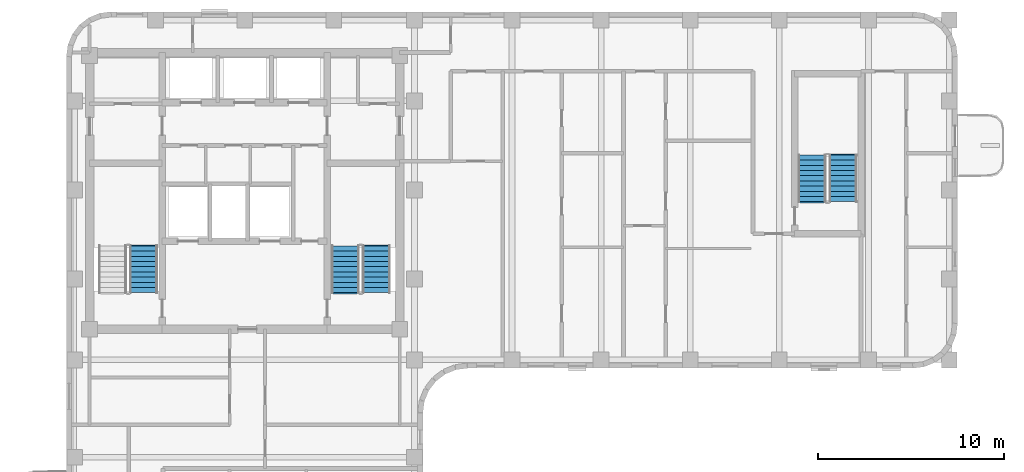
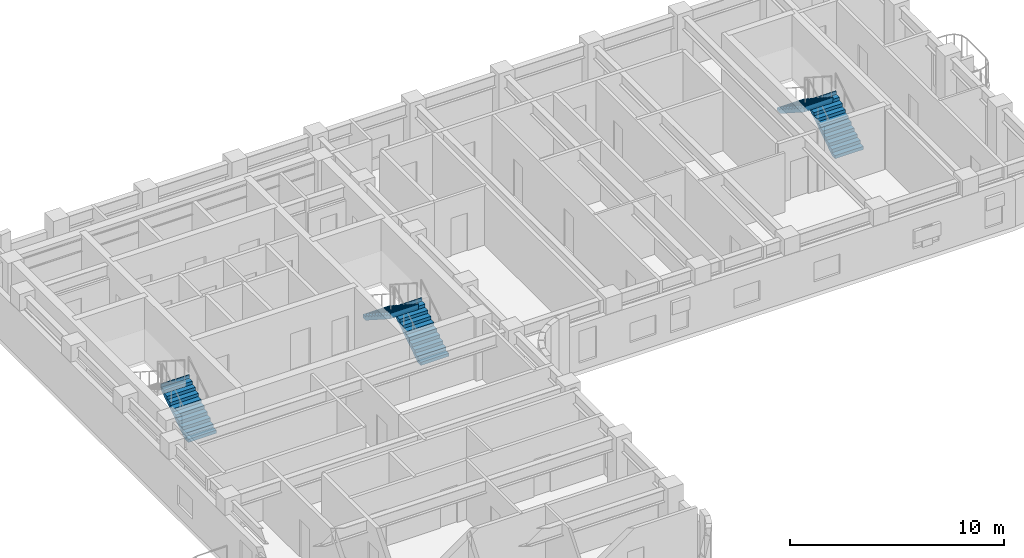
# One storey, part 7 of 10: 5 stair flights, 3 elements without a shape of their own.
"""IFC4 building model written with IfcOpenShell, lengths in metres."""

from ifc_helpers import new_model, si_unit, direction, frame, origin, place, context, subcontext, project, spatial, polyline, outline, extrude, material, type_object, element, aggregate, save


model = new_model("IFC4")

# Units and contexts
model_context = context("Model", 3, precision=1e-05, world=origin(), true_north=direction((0.0, 1.0)))
body_context = subcontext(model_context, "Body", "Model", "MODEL_VIEW")
ifc_project = project(units=[si_unit("LENGTHUNIT", "METRE"), si_unit("AREAUNIT", "SQUARE_METRE"), si_unit("VOLUMEUNIT", "CUBIC_METRE"), si_unit("PLANEANGLEUNIT", "RADIAN"), si_unit("MASSUNIT", "GRAM", prefix="KILO")], contexts=[model_context])

# Site, building, storey
site_placement = place(None, origin())
site = spatial("IfcSite", under=ifc_project, at=site_placement, CompositionType="ELEMENT")
building_placement = place(site_placement, origin())
building = spatial("IfcBuilding", under=site, at=building_placement, Name="Orvandelia Arch Residences", CompositionType="ELEMENT")
storey_placement = place(building_placement, frame((0.0, 0.0, 207.39990234375)))
storey = spatial("IfcBuildingStorey", under=building, at=storey_placement, Name="L54", CompositionType="ELEMENT", Elevation=207.39990234375)

# Stair, stair flight
ifc_material = material(Name="Concrete C40/50", Category="concrete")
stair_type = type_object("IfcStairType", Name="STAIR-RC-DOGLEG", PredefinedType="HALF_TURN_STAIR", material=ifc_material)
stair_1_placement = place(storey_placement, origin())
stair_1 = element("IfcStair", 1, at=stair_1_placement, inside=storey, type_object=stair_type, Name="L54 Protected Exit Stair ST-1", PredefinedType="HALF_TURN_STAIR")
stair_flight_type = type_object("IfcStairFlightType", Name="STFLT-RC-1520", PredefinedType="STRAIGHT", material=ifc_material)
stair_flight_1_placement = place(storey_placement, frame((8.9599609375, 32.8701171875, 0.0), z_axis=(0.0, 0.0, 1.0), x_axis=(0.0, 1.0, 0.0)))
stair_flight_1 = element("IfcStairFlight", 2, at=stair_flight_1_placement, type_object=stair_flight_type, Name="ST-1 flight 1", NumberOfRisers=10, NumberOfTreads=9, PredefinedType="STRAIGHT", RiserHeight=0.18, TreadLength=0.28, context=body_context, shape_type="SweptSolid", body=[
    extrude(outline(polyline([(0.0, 0.0), (0.0, 0.179931640625), (0.280029296875, 0.179931640625), (0.280029296875, 0.360107421875), (0.56005859375, 0.360107421875), (0.56005859375, 0.5400390625), (0.840087890625, 0.5400390625), (0.840087890625, 0.719970703125), (1.1201171875, 0.719970703125), (1.1201171875, 0.89990234375), (1.39990234375, 0.89990234375), (1.39990234375, 1.080078125), (1.679931640625, 1.080078125), (1.679931640625, 1.260009765625), (1.9599609375, 1.260009765625), (1.9599609375, 1.43994140625), (2.239990234375, 1.43994140625), (2.239990234375, 1.6201171875), (2.52001953125, 1.6201171875), (2.52001953125, 1.800048828125), (2.580078125, 1.800048828125), (2.580078125, 1.6201171875), (2.52001953125, 1.44189453125), (0.277099609375, 0.0), (0.0, 0.0)])), frame((0.0, 0.760009765625, 0.0), z_axis=(0.0, -1.0, 0.0), x_axis=(1.0, 0.0, 0.0)), (0.0, 0.0, 1.0), 1.52001953125),
])
aggregate(stair_1, [stair_flight_1])

# Stair, stair flights
stair_2_placement = place(storey_placement, origin())
stair_2 = element("IfcStair", 3, at=stair_2_placement, inside=storey, type_object=stair_type, Name="L54 Protected Exit Stair ST-2", PredefinedType="HALF_TURN_STAIR")
stair_flight_2_placement = place(storey_placement, frame((21.489990234375, 32.8701171875, 0.0), z_axis=(0.0, 0.0, 1.0), x_axis=(0.0, 1.0, 0.0)))
stair_flight_2 = element("IfcStairFlight", 4, at=stair_flight_2_placement, type_object=stair_flight_type, Name="ST-2 flight 1", NumberOfRisers=10, NumberOfTreads=9, PredefinedType="STRAIGHT", RiserHeight=0.18, TreadLength=0.28, context=body_context, shape_type="SweptSolid", body=[
    extrude(outline(polyline([(0.0, 0.0), (0.0, 0.179931640625), (0.280029296875, 0.179931640625), (0.280029296875, 0.360107421875), (0.56005859375, 0.360107421875), (0.56005859375, 0.5400390625), (0.840087890625, 0.5400390625), (0.840087890625, 0.719970703125), (1.1201171875, 0.719970703125), (1.1201171875, 0.89990234375), (1.39990234375, 0.89990234375), (1.39990234375, 1.080078125), (1.679931640625, 1.080078125), (1.679931640625, 1.260009765625), (1.9599609375, 1.260009765625), (1.9599609375, 1.43994140625), (2.239990234375, 1.43994140625), (2.239990234375, 1.6201171875), (2.52001953125, 1.6201171875), (2.52001953125, 1.800048828125), (2.580078125, 1.800048828125), (2.580078125, 1.6201171875), (2.52001953125, 1.44189453125), (0.277099609375, 0.0), (0.0, 0.0)])), frame((0.0, 0.760009765625, 0.0), z_axis=(0.0, -1.0, 0.0), x_axis=(1.0, 0.0, 0.0)), (0.0, 0.0, 1.0), 1.52001953125),
])
stair_flight_3_placement = place(storey_placement, frame((19.820068359375, 35.389892578125, 1.800048828125), z_axis=(0.0, 0.0, 1.0), x_axis=(0.0, -1.0, 0.0)))
stair_flight_3 = element("IfcStairFlight", 5, at=stair_flight_3_placement, type_object=stair_flight_type, Name="ST-2 flight 2", NumberOfRisers=10, NumberOfTreads=9, PredefinedType="STRAIGHT", RiserHeight=0.18, TreadLength=0.28, context=body_context, shape_type="SweptSolid", body=[
    extrude(outline(polyline([(0.0, 0.0), (0.0, 0.179931640625), (0.280029296875, 0.179931640625), (0.280029296875, 0.360107421875), (0.56005859375, 0.360107421875), (0.56005859375, 0.5400390625), (0.840087890625, 0.5400390625), (0.840087890625, 0.719970703125), (1.1201171875, 0.719970703125), (1.1201171875, 0.89990234375), (1.39990234375, 0.89990234375), (1.39990234375, 1.080078125), (1.679931640625, 1.080078125), (1.679931640625, 1.260009765625), (1.9599609375, 1.260009765625), (1.9599609375, 1.43994140625), (2.239990234375, 1.43994140625), (2.239990234375, 1.6201171875), (2.52001953125, 1.6201171875), (2.52001953125, 1.800048828125), (2.580078125, 1.800048828125), (2.580078125, 1.6201171875), (2.52001953125, 1.44189453125), (0.277099609375, 0.0), (0.0, 0.0)])), frame((0.0, 0.760009765625, 0.0), z_axis=(0.0, -1.0, 0.0), x_axis=(1.0, 0.0, 0.0)), (0.0, 0.0, 1.0), 1.52001953125),
])
aggregate(stair_2, [stair_flight_2, stair_flight_3])

stair_3_placement = place(storey_placement, origin())
stair_3 = element("IfcStair", 6, at=stair_3_placement, inside=storey, type_object=stair_type, Name="L54 East Wing Exit Stair ST-3", PredefinedType="HALF_TURN_STAIR")
stair_flight_4_placement = place(storey_placement, frame((46.639892578125, 37.77001953125, 0.0), z_axis=(0.0, 0.0, 1.0), x_axis=(0.0, 1.0, 0.0)))
stair_flight_4 = element("IfcStairFlight", 7, at=stair_flight_4_placement, type_object=stair_flight_type, Name="ST-3 flight 1", NumberOfRisers=10, NumberOfTreads=9, PredefinedType="STRAIGHT", RiserHeight=0.18, TreadLength=0.28, context=body_context, shape_type="SweptSolid", body=[
    extrude(outline(polyline([(0.0, 0.0), (0.0, 0.179931640625), (0.280029296875, 0.179931640625), (0.280029296875, 0.360107421875), (0.56005859375, 0.360107421875), (0.56005859375, 0.5400390625), (0.840087890625, 0.5400390625), (0.840087890625, 0.719970703125), (1.1201171875, 0.719970703125), (1.1201171875, 0.89990234375), (1.39990234375, 0.89990234375), (1.39990234375, 1.080078125), (1.679931640625, 1.080078125), (1.679931640625, 1.260009765625), (1.9599609375, 1.260009765625), (1.9599609375, 1.43994140625), (2.239990234375, 1.43994140625), (2.239990234375, 1.6201171875), (2.52001953125, 1.6201171875), (2.52001953125, 1.800048828125), (2.580078125, 1.800048828125), (2.580078125, 1.6201171875), (2.52001953125, 1.44189453125), (0.277099609375, 0.0), (0.0, 0.0)])), frame((0.0, 0.760009765625, 0.0), z_axis=(0.0, -1.0, 0.0), x_axis=(1.0, 0.0, 0.0)), (0.0, 0.0, 1.0), 1.52001953125),
])
stair_flight_5_placement = place(storey_placement, frame((44.969970703125, 40.2900390625, 1.800048828125), z_axis=(0.0, 0.0, 1.0), x_axis=(0.0, -1.0, 0.0)))
stair_flight_5 = element("IfcStairFlight", 8, at=stair_flight_5_placement, type_object=stair_flight_type, Name="ST-3 flight 2", NumberOfRisers=10, NumberOfTreads=9, PredefinedType="STRAIGHT", RiserHeight=0.18, TreadLength=0.28, context=body_context, shape_type="SweptSolid", body=[
    extrude(outline(polyline([(0.0, 0.0), (0.0, 0.179931640625), (0.280029296875, 0.179931640625), (0.280029296875, 0.360107421875), (0.56005859375, 0.360107421875), (0.56005859375, 0.5400390625), (0.840087890625, 0.5400390625), (0.840087890625, 0.719970703125), (1.1201171875, 0.719970703125), (1.1201171875, 0.89990234375), (1.39990234375, 0.89990234375), (1.39990234375, 1.080078125), (1.679931640625, 1.080078125), (1.679931640625, 1.260009765625), (1.9599609375, 1.260009765625), (1.9599609375, 1.43994140625), (2.239990234375, 1.43994140625), (2.239990234375, 1.6201171875), (2.52001953125, 1.6201171875), (2.52001953125, 1.800048828125), (2.580078125, 1.800048828125), (2.580078125, 1.6201171875), (2.52001953125, 1.44189453125), (0.277099609375, 0.0), (0.0, 0.0)])), frame((0.0, 0.760009765625, 0.0), z_axis=(0.0, -1.0, 0.0), x_axis=(1.0, 0.0, 0.0)), (0.0, 0.0, 1.0), 1.52001953125),
])
aggregate(stair_3, [stair_flight_4, stair_flight_5])

save(model, "model.ifc")
